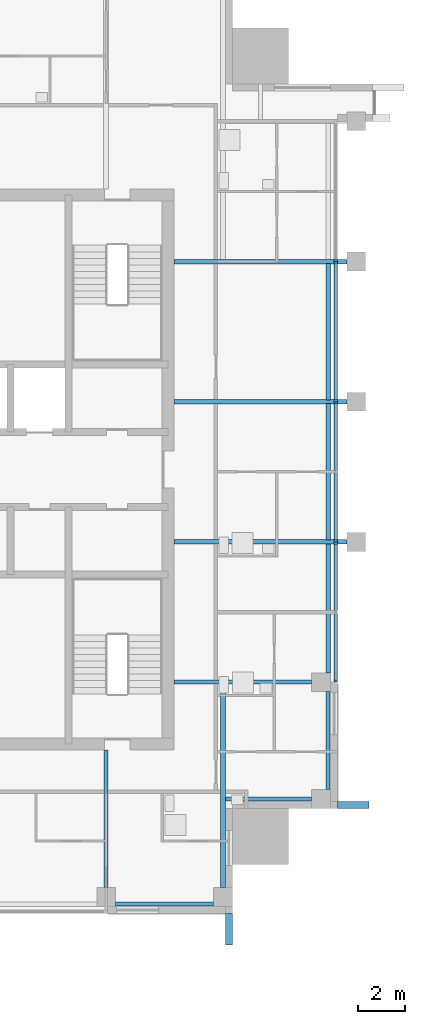
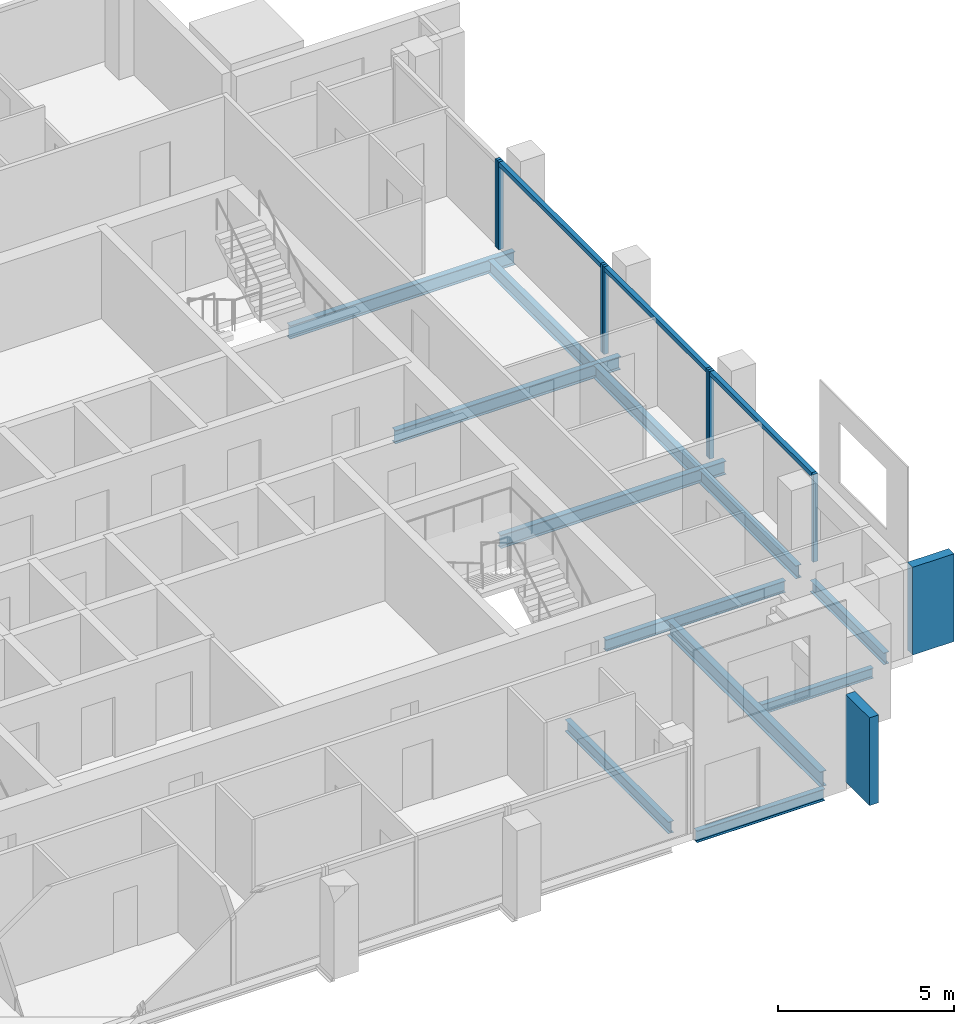
# One storey, part 3 of 13: 12 beams, 12 members, 4 elements without a shape of their own.
"""IFC4 building model written with IfcOpenShell, lengths in metres."""

from ifc_helpers import new_model, si_unit, direction, frame, origin, origin_2d, place, context, subcontext, project, spatial, rectangle, i_section, extrude, material, material_profile, profile_set, type_object, element, aggregate, save


model = new_model("IFC4")

# Units and contexts
model_context = context("Model", 3, precision=1e-05, world=origin(), true_north=direction((0.0, 1.0)))
body_context = subcontext(model_context, "Body", "Model", "MODEL_VIEW")
ifc_project = project(units=[si_unit("LENGTHUNIT", "METRE"), si_unit("AREAUNIT", "SQUARE_METRE"), si_unit("VOLUMEUNIT", "CUBIC_METRE"), si_unit("PLANEANGLEUNIT", "RADIAN"), si_unit("MASSUNIT", "GRAM", prefix="KILO")], contexts=[model_context])

# Site, building, storey
site_placement = place(None, origin())
site = spatial("IfcSite", under=ifc_project, at=site_placement, CompositionType="ELEMENT")
building_placement = place(site_placement, origin())
building = spatial("IfcBuilding", under=site, at=building_placement, Name="Amberfall Residences", CompositionType="ELEMENT")
storey_placement = place(building_placement, frame((0.0, 0.0, 271.89990234375)))
storey = spatial("IfcBuildingStorey", under=building, at=storey_placement, Name="L73", CompositionType="ELEMENT", Elevation=271.89990234375)

# Curtain wall, members
ifc_material_1 = material(Name="Bronze anodised aluminium and glass", Category="aluminium")
curtain_wall_type = type_object("IfcCurtainWallType", Name="Curtain wall CW3 sky garden glazing", PredefinedType="USERDEFINED", material=ifc_material_1)
curtain_wall_1_placement = place(storey_placement, origin())
curtain_wall_1 = element("IfcCurtainWall", 1, at=curtain_wall_1_placement, inside=storey, type_object=curtain_wall_type, Name="Curtain wall L73 E E2", ObjectType="UNITISED CURTAIN WALL", PredefinedType="USERDEFINED")
ifc_material_2 = material(Name="Bronze anodised aluminium", Category="aluminium")
ifc_material_profile_1 = material_profile(ifc_material_2, rectangle(XDim=0.14990234375, YDim=0.10009765625, at=origin_2d()), Name="CW3 mullion 100 x 150 bronze")
ifc_profile_set_1 = profile_set([ifc_material_profile_1], Name="Bronze anodised aluminium")
member_type_1 = type_object("IfcMemberType", Name="CW3 mullion 100 x 150 bronze", PredefinedType="MULLION", material=ifc_profile_set_1)
member_1_placement = place(storey_placement, frame((93.425048828125, 36.449951171875, 0.0), z_axis=(0.0, 0.0, 1.0), x_axis=(-1.0, 0.0, 0.0)))
member_1 = element("IfcMember", 2, at=member_1_placement, type_object=member_type_1, Name="CW3 mullion 1", PredefinedType="MULLION", context=body_context, shape_type="SweptSolid", body=[
    extrude(rectangle(XDim=0.14990234375, YDim=0.10009765625, at=origin_2d()), origin(), (0.0, 0.0, 1.0), 3.050048828125),
])
member_2_placement = place(storey_placement, frame((93.425048828125, 42.35009765625, 0.0), z_axis=(0.0, 0.0, 1.0), x_axis=(-1.0, 0.0, 0.0)))
member_2 = element("IfcMember", 3, at=member_2_placement, type_object=member_type_1, Name="CW3 mullion 2", PredefinedType="MULLION", context=body_context, shape_type="SweptSolid", body=[
    extrude(rectangle(XDim=0.14990234375, YDim=0.10009765625, at=origin_2d()), origin(), (0.0, 0.0, 1.0), 3.050048828125),
])

curtain_wall_2_placement = place(storey_placement, origin())
curtain_wall_2 = element("IfcCurtainWall", 4, at=curtain_wall_2_placement, inside=storey, type_object=curtain_wall_type, Name="Curtain wall L73 E E3", ObjectType="UNITISED CURTAIN WALL", PredefinedType="USERDEFINED")
member_3_placement = place(storey_placement, frame((93.425048828125, 42.449951171875, 0.0), z_axis=(0.0, 0.0, 1.0), x_axis=(-1.0, 0.0, 0.0)))
member_3 = element("IfcMember", 5, at=member_3_placement, type_object=member_type_1, Name="CW3 mullion 1", PredefinedType="MULLION", context=body_context, shape_type="SweptSolid", body=[
    extrude(rectangle(XDim=0.14990234375, YDim=0.10009765625, at=origin_2d()), origin(), (0.0, 0.0, 1.0), 3.050048828125),
])
member_4_placement = place(storey_placement, frame((93.425048828125, 48.35009765625, 0.0), z_axis=(0.0, 0.0, 1.0), x_axis=(-1.0, 0.0, 0.0)))
member_4 = element("IfcMember", 6, at=member_4_placement, type_object=member_type_1, Name="CW3 mullion 2", PredefinedType="MULLION", context=body_context, shape_type="SweptSolid", body=[
    extrude(rectangle(XDim=0.14990234375, YDim=0.10009765625, at=origin_2d()), origin(), (0.0, 0.0, 1.0), 3.050048828125),
])

curtain_wall_3_placement = place(storey_placement, origin())
curtain_wall_3 = element("IfcCurtainWall", 7, at=curtain_wall_3_placement, inside=storey, type_object=curtain_wall_type, Name="Curtain wall L73 E E4", ObjectType="UNITISED CURTAIN WALL", PredefinedType="USERDEFINED")
member_5_placement = place(storey_placement, frame((93.425048828125, 48.449951171875, 0.0), z_axis=(0.0, 0.0, 1.0), x_axis=(-1.0, 0.0, 0.0)))
member_5 = element("IfcMember", 8, at=member_5_placement, type_object=member_type_1, Name="CW3 mullion 1", PredefinedType="MULLION", context=body_context, shape_type="SweptSolid", body=[
    extrude(rectangle(XDim=0.14990234375, YDim=0.10009765625, at=origin_2d()), origin(), (0.0, 0.0, 1.0), 3.050048828125),
])
member_6_placement = place(storey_placement, frame((93.425048828125, 54.35009765625, 0.0), z_axis=(0.0, 0.0, 1.0), x_axis=(-1.0, 0.0, 0.0)))
member_6 = element("IfcMember", 9, at=member_6_placement, type_object=member_type_1, Name="CW3 mullion 2", PredefinedType="MULLION", context=body_context, shape_type="SweptSolid", body=[
    extrude(rectangle(XDim=0.14990234375, YDim=0.10009765625, at=origin_2d()), origin(), (0.0, 0.0, 1.0), 3.050048828125),
])

# Curtain wall, member
curtain_wall_4_placement = place(storey_placement, origin())
curtain_wall_4 = element("IfcCurtainWall", 10, at=curtain_wall_4_placement, inside=storey, type_object=curtain_wall_type, Name="Curtain wall L73 E E5", ObjectType="UNITISED CURTAIN WALL", PredefinedType="USERDEFINED")
member_7_placement = place(storey_placement, frame((93.425048828125, 54.449951171875, 0.0), z_axis=(0.0, 0.0, 1.0), x_axis=(-1.0, 0.0, 0.0)))
member_7 = element("IfcMember", 11, at=member_7_placement, type_object=member_type_1, Name="CW3 mullion 1", PredefinedType="MULLION", context=body_context, shape_type="SweptSolid", body=[
    extrude(rectangle(XDim=0.14990234375, YDim=0.10009765625, at=origin_2d()), origin(), (0.0, 0.0, 1.0), 3.050048828125),
])
aggregate(curtain_wall_4, [member_7])

# Member
ifc_material_profile_2 = material_profile(ifc_material_2, rectangle(XDim=0.14990234375, YDim=0.14990234375, at=origin_2d()), Name="CW3 transom 150 x 150 bronze")
ifc_profile_set_2 = profile_set([ifc_material_profile_2], Name="Bronze anodised aluminium")
member_type_2 = type_object("IfcMemberType", Name="CW3 transom 150 x 150 bronze", PredefinedType="USERDEFINED", material=ifc_profile_set_2)
member_8_placement = place(storey_placement, frame((93.425048828125, 36.5, 2.97509765625), z_axis=(0.0, 1.0, 0.0), x_axis=(-1.0, 0.0, 0.0)))
member_8 = element("IfcMember", 12, at=member_8_placement, type_object=member_type_2, Name="CW3 transom 1.1", ObjectType="TRANSOM", PredefinedType="USERDEFINED", context=body_context, shape_type="SweptSolid", body=[
    extrude(rectangle(XDim=0.14990234375, YDim=0.14990234375, at=origin_2d()), origin(), (0.0, 0.0, 1.0), 5.800048828125),
])

aggregate(curtain_wall_1, [member_1, member_2, member_8])

member_9_placement = place(storey_placement, frame((93.425048828125, 42.5, 2.97509765625), z_axis=(0.0, 1.0, 0.0), x_axis=(-1.0, 0.0, 0.0)))
member_9 = element("IfcMember", 13, at=member_9_placement, type_object=member_type_2, Name="CW3 transom 1.1", ObjectType="TRANSOM", PredefinedType="USERDEFINED", context=body_context, shape_type="SweptSolid", body=[
    extrude(rectangle(XDim=0.14990234375, YDim=0.14990234375, at=origin_2d()), origin(), (0.0, 0.0, 1.0), 5.800048828125),
])

aggregate(curtain_wall_2, [member_3, member_4, member_9])

member_10_placement = place(storey_placement, frame((93.425048828125, 48.5, 2.97509765625), z_axis=(0.0, 1.0, 0.0), x_axis=(-1.0, 0.0, 0.0)))
member_10 = element("IfcMember", 14, at=member_10_placement, type_object=member_type_2, Name="CW3 transom 1.1", ObjectType="TRANSOM", PredefinedType="USERDEFINED", context=body_context, shape_type="SweptSolid", body=[
    extrude(rectangle(XDim=0.14990234375, YDim=0.14990234375, at=origin_2d()), origin(), (0.0, 0.0, 1.0), 5.800048828125),
])

aggregate(curtain_wall_3, [member_5, member_6, member_10])

# Beams
ifc_material_3 = material(Name="Steel S355", Category="steel")
ifc_material_profile_3 = material_profile(ifc_material_3, i_section(OverallWidth=0.177734375, OverallDepth=0.402587890625, WebThickness=0.0078125, FlangeThickness=0.010986328125, FilletRadius=0.01025390625, at=origin_2d()), Name="UB 406x178x54")
ifc_profile_set_3 = profile_set([ifc_material_profile_3], Name="Steel S355")
beam_type_1 = type_object("IfcBeamType", Name="Edge beam UB 406x178x54", PredefinedType="SPANDREL", material=ifc_profile_set_3)
for number, where, z_axis, x_axis, name in (
    (15, (84.0, 26.89990234375, -0.451171875), (1.0, 0.0, 0.0), (0.0, 1.0, 0.0), "Edge beam B14 L73 05"),
    (16, (93.10009765625, 31.800048828125, -0.451171875), (0.0, 1.0, 0.0), (-1.0, 0.0, 0.0), "Edge beam B14 L73 12"),
):
    element("IfcBeam", number, at=place(storey_placement, frame(where, z_axis=z_axis, x_axis=x_axis)), inside=storey, type_object=beam_type_1, Name=name, PredefinedType="SPANDREL", context=body_context, shape_type="SweptSolid", body=[
        extrude(i_section(OverallWidth=0.177734375, OverallDepth=0.402587890625, WebThickness=0.0078125, FlangeThickness=0.010986328125, FilletRadius=0.01025390625, at=origin_2d()), origin(), (0.0, 0.0, 1.0), 4.199951171875),
    ])
ifc_material_profile_4 = material_profile(ifc_material_3, i_section(OverallWidth=0.18994140625, OverallDepth=0.453369140625, WebThickness=0.008544921875, FlangeThickness=0.0126953125, FilletRadius=0.01025390625, at=origin_2d()), Name="UB 457x191x67")
ifc_profile_set_4 = profile_set([ifc_material_profile_4], Name="Steel S355")
beam_type_2 = type_object("IfcBeamType", Name="Edge beam UB 457x191x67", PredefinedType="SPANDREL", material=ifc_profile_set_4)
beam_1_placement = place(storey_placement, frame((93.10009765625, 36.800048828125, -0.4765625), z_axis=(0.0, 1.0, 0.0), x_axis=(-1.0, 0.0, 0.0)))
element("IfcBeam", 17, at=beam_1_placement, inside=storey, type_object=beam_type_2, Name="Edge beam B1 L73 13", PredefinedType="SPANDREL", context=body_context, shape_type="SweptSolid", body=[
    extrude(i_section(OverallWidth=0.18994140625, OverallDepth=0.453369140625, WebThickness=0.008544921875, FlangeThickness=0.0126953125, FilletRadius=0.01025390625, at=origin_2d()), origin(), (0.0, 0.0, 1.0), 5.52001953125),
])
for number, where, z_axis, x_axis, name in (
    (18, (93.10009765625, 42.47998046875, -0.4765625), (0.0, 1.0, 0.0), (-1.0, 0.0, 0.0), "Edge beam B1 L73 14"),
    (19, (93.10009765625, 48.47998046875, -0.4765625), (0.0, 1.0, 0.0), (-1.0, 0.0, 0.0), "Edge beam B1 L73 15"),
):
    element("IfcBeam", number, at=place(storey_placement, frame(where, z_axis=z_axis, x_axis=x_axis)), inside=storey, type_object=beam_type_2, Name=name, PredefinedType="SPANDREL", context=body_context, shape_type="SweptSolid", body=[
        extrude(i_section(OverallWidth=0.18994140625, OverallDepth=0.453369140625, WebThickness=0.008544921875, FlangeThickness=0.0126953125, FilletRadius=0.01025390625, at=origin_2d()), origin(), (0.0, 0.0, 1.0), 5.840087890625),
    ])
ifc_material_profile_5 = material_profile(ifc_material_3, i_section(OverallWidth=0.171142578125, OverallDepth=0.351318359375, WebThickness=0.007080078125, FlangeThickness=0.009765625, FilletRadius=0.01025390625, at=origin_2d()), Name="UB 356x171x45")
ifc_profile_set_5 = profile_set([ifc_material_profile_5], Name="Steel S355")
beam_type_3 = type_object("IfcBeamType", Name="Floor girder UB 356x171x45", PredefinedType="BEAM", material=ifc_profile_set_5)
beam_2_placement = place(storey_placement, frame((92.39990234375, 31.39990234375, -0.425537109375), z_axis=(-1.0, 0.0, 0.0), x_axis=(0.0, -1.0, 0.0)))
element("IfcBeam", 20, at=beam_2_placement, inside=storey, type_object=beam_type_3, Name="Floor girder B11 L73 17", PredefinedType="BEAM", context=body_context, shape_type="SweptSolid", body=[
    extrude(i_section(OverallWidth=0.171142578125, OverallDepth=0.351318359375, WebThickness=0.007080078125, FlangeThickness=0.009765625, FilletRadius=0.01025390625, at=origin_2d()), origin(), (0.0, 0.0, 1.0), 3.679931640625),
])
ifc_material_profile_6 = material_profile(ifc_material_3, i_section(OverallWidth=0.177734375, OverallDepth=0.402587890625, WebThickness=0.0078125, FlangeThickness=0.010986328125, FilletRadius=0.01025390625, at=origin_2d()), Name="UB 406x178x54")
ifc_profile_set_6 = profile_set([ifc_material_profile_6], Name="Steel S355")
beam_type_4 = type_object("IfcBeamType", Name="Floor girder UB 406x178x54", PredefinedType="BEAM", material=ifc_profile_set_6)
for number, where, z_axis, x_axis, name in (
    (21, (83.60009765625, 27.60009765625, -0.451171875), (0.0, 1.0, 0.0), (-1.0, 0.0, 0.0), "Floor girder B4 L73 10"),
    (22, (92.39990234375, 36.39990234375, -0.451171875), (-1.0, 0.0, 0.0), (0.0, -1.0, 0.0), "Floor girder B4 L73 18"),
):
    element("IfcBeam", number, at=place(storey_placement, frame(where, z_axis=z_axis, x_axis=x_axis)), inside=storey, type_object=beam_type_4, Name=name, PredefinedType="BEAM", context=body_context, shape_type="SweptSolid", body=[
        extrude(i_section(OverallWidth=0.177734375, OverallDepth=0.402587890625, WebThickness=0.0078125, FlangeThickness=0.010986328125, FilletRadius=0.01025390625, at=origin_2d()), origin(), (0.0, 0.0, 1.0), 5.89990234375),
    ])
ifc_material_profile_7 = material_profile(ifc_material_3, i_section(OverallWidth=0.19140625, OverallDepth=0.4599609375, WebThickness=0.010009765625, FlangeThickness=0.01611328125, FilletRadius=0.01025390625, at=origin_2d()), Name="UB 457x191x82")
ifc_profile_set_7 = profile_set([ifc_material_profile_7], Name="Steel S355")
beam_type_5 = type_object("IfcBeamType", Name="Floor girder UB 457x191x82", PredefinedType="BEAM", material=ifc_profile_set_7)
for number, where, z_axis, x_axis, name in (
    (23, (93.89990234375, 42.39990234375, -0.47998046875), (-1.0, 0.0, 0.0), (0.0, -1.0, 0.0), "Floor girder B10 L73 19"),
    (24, (93.89990234375, 48.39990234375, -0.47998046875), (-1.0, 0.0, 0.0), (0.0, -1.0, 0.0), "Floor girder B10 L73 20"),
    (25, (93.89990234375, 54.39990234375, -0.47998046875), (-1.0, 0.0, 0.0), (0.0, -1.0, 0.0), "Floor girder B10 L73 21"),
):
    element("IfcBeam", number, at=place(storey_placement, frame(where, z_axis=z_axis, x_axis=x_axis)), inside=storey, type_object=beam_type_5, Name=name, PredefinedType="BEAM", context=body_context, shape_type="SweptSolid", body=[
        extrude(i_section(OverallWidth=0.19140625, OverallDepth=0.4599609375, WebThickness=0.010009765625, FlangeThickness=0.01611328125, FilletRadius=0.01025390625, at=origin_2d()), origin(), (0.0, 0.0, 1.0), 7.39990234375),
    ])
ifc_material_profile_8 = material_profile(ifc_material_3, i_section(OverallWidth=0.209228515625, OverallDepth=0.533203125, WebThickness=0.010009765625, FlangeThickness=0.015625, FilletRadius=0.0126953125, at=origin_2d()), Name="UB 533x210x92")
ifc_profile_set_8 = profile_set([ifc_material_profile_8], Name="Steel S355")
beam_type_6 = type_object("IfcBeamType", Name="Floor girder UB 533x210x92", PredefinedType="BEAM", material=ifc_profile_set_8)
beam_3_placement = place(storey_placement, frame((88.60009765625, 27.60009765625, -0.516357421875), z_axis=(0.0, 1.0, 0.0), x_axis=(-1.0, 0.0, 0.0)))
element("IfcBeam", 26, at=beam_3_placement, inside=storey, type_object=beam_type_6, Name="Floor girder B3 L73 11", PredefinedType="BEAM", context=body_context, shape_type="SweptSolid", body=[
    extrude(i_section(OverallWidth=0.209228515625, OverallDepth=0.533203125, WebThickness=0.010009765625, FlangeThickness=0.015625, FilletRadius=0.0126953125, at=origin_2d()), origin(), (0.0, 0.0, 1.0), 8.716064453125),
])

# Members
ifc_material_profile_9 = material_profile(ifc_material_2, rectangle(XDim=1.35009765625, YDim=0.300048828125, at=origin_2d()), Name="Stone corner fin 300 x 1350 bronze")
ifc_profile_set_9 = profile_set([ifc_material_profile_9], Name="Bronze anodised aluminium")
member_type_3 = type_object("IfcMemberType", Name="Stone corner fin 300 x 1350 bronze", PredefinedType="MEMBER", material=ifc_profile_set_9)
for number, where, z_axis, x_axis, name in (
    (27, (88.85009765625, 25.824951171875, 0.0), (0.0, 0.0, 1.0), (0.0, 1.0, 0.0), "Corner fin S"),
    (28, (94.175048828125, 31.14990234375, 0.0), (0.0, 0.0, 1.0), (-1.0, 0.0, 0.0), "Corner fin E"),
):
    element("IfcMember", number, at=place(storey_placement, frame(where, z_axis=z_axis, x_axis=x_axis)), inside=storey, type_object=member_type_3, Name=name, PredefinedType="MEMBER", context=body_context, shape_type="SweptSolid", body=[
        extrude(rectangle(XDim=1.35009765625, YDim=0.300048828125, at=origin_2d()), origin(), (0.0, 0.0, 1.0), 3.050048828125),
    ])

save(model, "model.ifc")
